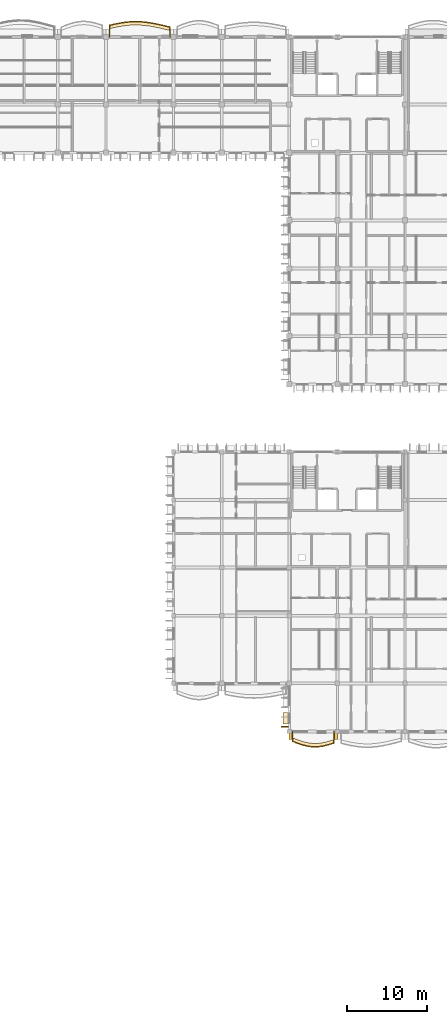
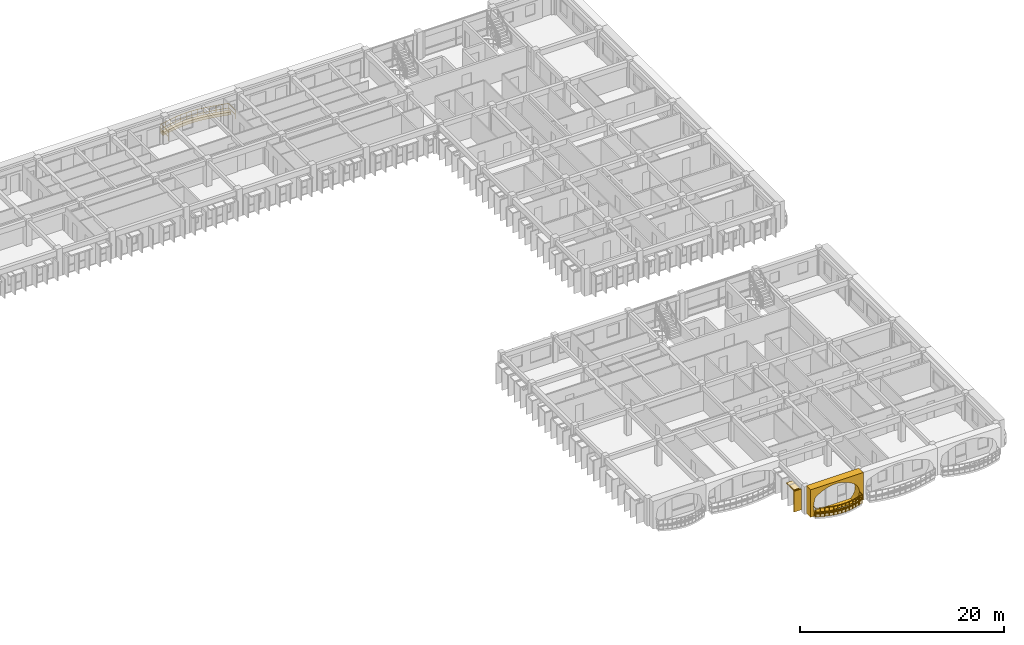
# One storey, part 59 of 70: 5 coverings, 2 railings.
"""IFC4 building model written with IfcOpenShell, lengths in metres."""

from ifc_helpers import new_model, si_unit, direction, frame, origin, origin_2d, place, context, subcontext, project, spatial, polyline, rectangle, outline, extrude, material, layer, layer_set, type_object, element, save


model = new_model("IFC4")

# Units and contexts
model_context = context("Model", 3, precision=1e-05, world=origin(), true_north=direction((0.0, 1.0)))
body_context = subcontext(model_context, "Body", "Model", "MODEL_VIEW")
ifc_project = project(units=[si_unit("LENGTHUNIT", "METRE"), si_unit("AREAUNIT", "SQUARE_METRE"), si_unit("VOLUMEUNIT", "CUBIC_METRE"), si_unit("PLANEANGLEUNIT", "RADIAN"), si_unit("MASSUNIT", "GRAM", prefix="KILO"), si_unit("THERMODYNAMICTEMPERATUREUNIT", "KELVIN")], contexts=[model_context])

# Site, building, storey
site_placement = place(None, origin())
site = spatial("IfcSite", under=ifc_project, at=site_placement, CompositionType="ELEMENT")
building_placement = place(site_placement, origin())
building = spatial("IfcBuilding", under=site, at=building_placement, Name="Thalorik Housing Commons", CompositionType="ELEMENT")
storey_placement = place(building_placement, frame((0.0, 0.0, 14.699951171875)))
storey = spatial("IfcBuildingStorey", under=building, at=storey_placement, Name="L04", CompositionType="ELEMENT", Elevation=14.699951171875)

# Coverings
ifc_material_1 = material(Name="Precast concrete C40/50", Category="concrete")
ifc_layer_1 = layer(ifc_material_1, 0.85009765625, Name="Precast concrete C40/50", Category="concrete")
ifc_layer_set_1 = layer_set([ifc_layer_1], Name="Precast concrete C40/50")
covering_type_1 = type_object("IfcCoveringType", Name="ARC-CLD-CUSH-850", PredefinedType="CLADDING", material=ifc_layer_set_1)
covering_1_placement = place(storey_placement, frame((155.39990234375, 36.637451171875, 0.0), z_axis=(0.0, 0.0, 1.0), x_axis=(1.0, 0.0, 0.0)))
element("IfcCovering", 1, at=covering_1_placement, inside=storey, type_object=covering_type_1, Name="L04 White Precast Curved Cushion Bay Frame 4819", PredefinedType="CLADDING", context=body_context, shape_type="SweptSolid", body=[
    extrude(outline(polyline([(-3.0, 0.0), (3.0, 0.0), (3.0, 3.300048828125), (-3.0, 3.300048828125), (-3.0, 0.0)]), holes=[polyline([(2.0400390625, 0.02490234375), (2.3232421875, 0.394287109375), (2.493408203125, 0.76318359375), (2.550048828125, 1.132568359375), (2.493408203125, 1.501708984375), (2.3232421875, 1.870849609375), (2.0400390625, 2.239990234375), (1.66748046875, 2.4833984375), (1.294921875, 2.6748046875), (0.922607421875, 2.82958984375), (0.550048828125, 2.94482421875), (0.177490234375, 3.01611328125), (-0.195068359375, 3.0400390625), (-0.5673828125, 3.01611328125), (-0.93994140625, 2.94482421875), (-1.3125, 2.82958984375), (-1.68505859375, 2.6748046875), (-2.0576171875, 2.4833984375), (-2.429931640625, 2.239990234375), (-2.55029296875, 1.870849609375), (-2.62255859375, 1.501708984375), (-2.646484375, 1.132568359375), (-2.62255859375, 0.76318359375), (-2.55029296875, 0.394287109375), (-2.429931640625, 0.02490234375), (2.0400390625, 0.02490234375)])]), frame((0.0, 0.425048828125, 0.0), z_axis=(0.0, -1.0, 0.0), x_axis=(1.0, 0.0, 0.0)), (0.0, 0.0, 1.0), 0.85009765625),
])
ifc_layer_2 = layer(ifc_material_1, 0.85009765625, Name="Precast concrete C40/50", Category="concrete")
ifc_layer_set_2 = layer_set([ifc_layer_2], Name="Precast concrete C40/50")
covering_type_2 = type_object("IfcCoveringType", Name="ARC-CLD-FIN-850", PredefinedType="CLADDING", material=ifc_layer_set_2)
covering_2_placement = place(storey_placement, frame((151.83740234375, 37.800048828125, 0.0400390625), z_axis=(0.0, 0.0, 1.0), x_axis=(0.0, -1.0, 0.0)))
element("IfcCovering", 2, at=covering_2_placement, inside=storey, type_object=covering_type_2, Name="L04 Courtyard Precast Vertical Brise-Soleil Fin 4816", PredefinedType="CLADDING", context=body_context, shape_type="SweptSolid", body=[
    extrude(rectangle(XDim=0.110107421875, YDim=0.85009765625, at=origin_2d()), origin(), (0.0, 0.0, 1.0), 2.4951171875),
])
ifc_layer_3 = layer(ifc_material_1, 0.64990234375, Name="Precast concrete C40/50", Category="concrete")
ifc_layer_set_3 = layer_set([ifc_layer_3], Name="Precast concrete C40/50")
covering_type_3 = type_object("IfcCoveringType", Name="ARC-CLD-HOOD-650", PredefinedType="CLADDING", material=ifc_layer_set_3)
covering_3_placement = place(storey_placement, frame((151.9375, 38.830078125, 2.2900390625), z_axis=(0.0, 0.0, 1.0), x_axis=(0.0, -1.0, 0.0)))
element("IfcCovering", 3, at=covering_3_placement, inside=storey, type_object=covering_type_3, Name="L04 Courtyard Precast Window Sun-Hood 4818", PredefinedType="CLADDING", context=body_context, shape_type="SweptSolid", body=[
    extrude(rectangle(XDim=1.43994140625, YDim=0.64990234375, at=origin_2d()), origin(), (0.0, 0.0, 1.0), 0.139892578125),
])
ifc_material_2 = material(Name="Planted vegetated substrate and terracotta trough", Category="masonry")
ifc_layer_4 = layer(ifc_material_2, 0.340087890625, Name="Planted vegetated substrate and terracotta trough", Category="masonry")
ifc_layer_set_4 = layer_set([ifc_layer_4], Name="Planted vegetated substrate and terracotta trough")
covering_type_4 = type_object("IfcCoveringType", Name="ARC-COV-PLANTER", PredefinedType="USERDEFINED", material=ifc_layer_set_4)
covering_4_placement = place(storey_placement, origin())
element("IfcCovering", 4, at=covering_4_placement, inside=storey, type_object=covering_type_4, Name="L04 Balcony Slab-Edge Planted Trough 5458", ObjectType="PLANTER", PredefinedType="USERDEFINED", context=body_context, shape_type="SweptSolid", body=[
    extrude(outline(polyline([(137.580078125, 124.79296875), (136.949951171875, 124.940673828125), (136.320068359375, 125.08642578125), (135.68994140625, 125.22021484375), (135.06005859375, 125.332763671875), (134.429931640625, 125.41650390625), (133.800048828125, 125.465576171875), (133.169921875, 125.476318359375), (132.5400390625, 125.447509765625), (131.909912109375, 125.381591796875), (131.280029296875, 125.2822265625), (130.64990234375, 125.15625), (130.02001953125, 125.01220703125), (130.02001953125, 124.632080078125), (130.64990234375, 124.7763671875), (131.280029296875, 124.90234375), (131.909912109375, 125.001708984375), (132.5400390625, 125.067626953125), (133.169921875, 125.09619140625), (133.800048828125, 125.08544921875), (134.429931640625, 125.03662109375), (135.06005859375, 124.95263671875), (135.68994140625, 124.840087890625), (136.320068359375, 124.706298828125), (136.949951171875, 124.560791015625), (137.580078125, 124.4130859375), (137.580078125, 124.79296875)])), origin(), (0.0, 0.0, 1.0), 0.340087890625),
])
covering_5_placement = place(storey_placement, origin())
element("IfcCovering", 5, at=covering_5_placement, inside=storey, type_object=covering_type_4, Name="L04 Balcony Slab-Edge Planted Trough 5670", ObjectType="PLANTER", PredefinedType="USERDEFINED", context=body_context, shape_type="SweptSolid", body=[
    extrude(outline(polyline([(152.820068359375, 36.019775390625), (153.25, 35.858154296875), (153.679931640625, 35.703369140625), (154.110107421875, 35.5654296875), (154.5400390625, 35.45361328125), (154.969970703125, 35.375), (155.39990234375, 35.33447265625), (155.830078125, 35.333984375), (156.260009765625, 35.373046875), (156.68994140625, 35.447998046875), (157.1201171875, 35.55322265625), (157.550048828125, 35.680908203125), (157.97998046875, 35.8212890625), (157.97998046875, 36.201416015625), (157.550048828125, 36.060791015625), (157.1201171875, 35.933349609375), (156.68994140625, 35.828125), (156.260009765625, 35.753173828125), (155.830078125, 35.714111328125), (155.39990234375, 35.714599609375), (154.969970703125, 35.755126953125), (154.5400390625, 35.833740234375), (154.110107421875, 35.9453125), (153.679931640625, 36.083251953125), (153.25, 36.23828125), (152.820068359375, 36.39990234375), (152.820068359375, 36.019775390625)])), origin(), (0.0, 0.0, 1.0), 0.340087890625),
])

# Railings
ifc_material_3 = material(Name="Steel S355", Category="steel")
railing_type = type_object("IfcRailingType", Name="ARC-RL-BAL-112", PredefinedType="BALUSTRADE", material=ifc_material_3)
railing_1_placement = place(storey_placement, frame((137.580078125, 123.60009765625, 0.0)))
element("IfcRailing", 6, at=railing_1_placement, inside=storey, type_object=railing_type, Name="L04 Cushion Balcony Guardrail 142", PredefinedType="BALUSTRADE", context=body_context, shape_type="SweptSolid", body=[
    extrude(rectangle(XDim=0.050048828125, YDim=0.050048828125, at=origin_2d()), frame((0.0, 0.0, 1.09521484375), z_axis=(0.0, 1.0, 0.0), x_axis=(-1.0, 0.0, 0.0)), (0.0, 0.0, 1.0), 1.262939453125),
    extrude(rectangle(XDim=0.050048828125, YDim=0.050048828125, at=origin_2d()), frame((0.0, 0.0, 0.53515625), z_axis=(0.0, 1.0, 0.0), x_axis=(-1.0, 0.0, 0.0)), (0.0, 0.0, 1.0), 1.262939453125),
    extrude(rectangle(XDim=0.050048828125, YDim=0.050048828125, at=origin_2d()), frame((0.0, 1.262939453125, 1.09521484375), z_axis=(-0.973609762691, 0.228219258593, 0.0), x_axis=(-0.228219258593, -0.973609762691, 0.0)), (0.0, 0.0, 1.0), 0.647216796875),
    extrude(rectangle(XDim=0.050048828125, YDim=0.050048828125, at=origin_2d()), frame((0.0, 1.262939453125, 0.53515625), z_axis=(-0.973609762691, 0.228219258593, 0.0), x_axis=(-0.228219258593, -0.973609762691, 0.0)), (0.0, 0.0, 1.0), 0.647216796875),
    extrude(rectangle(XDim=0.050048828125, YDim=0.050048828125, at=origin_2d()), frame((-0.630126953125, 1.41064453125, 1.09521484375), z_axis=(-0.974257371858, 0.225438624418, 0.0), x_axis=(-0.225438624418, -0.974257371858, 0.0)), (0.0, 0.0, 1.0), 0.646484375),
    extrude(rectangle(XDim=0.050048828125, YDim=0.050048828125, at=origin_2d()), frame((-0.630126953125, 1.41064453125, 0.53515625), z_axis=(-0.974257371858, 0.225438624418, 0.0), x_axis=(-0.225438624418, -0.974257371858, 0.0)), (0.0, 0.0, 1.0), 0.646484375),
    extrude(rectangle(XDim=0.050048828125, YDim=0.050048828125, at=origin_2d()), frame((-1.260009765625, 1.556396484375, 1.09521484375), z_axis=(-0.978271412584, 0.207328346642, 0.0), x_axis=(-0.207328346642, -0.978271412584, 0.0)), (0.0, 0.0, 1.0), 0.64404296875),
    extrude(rectangle(XDim=0.050048828125, YDim=0.050048828125, at=origin_2d()), frame((-1.260009765625, 1.556396484375, 0.53515625), z_axis=(-0.978271412584, 0.207328346642, 0.0), x_axis=(-0.207328346642, -0.978271412584, 0.0)), (0.0, 0.0, 1.0), 0.64404296875),
    extrude(rectangle(XDim=0.050048828125, YDim=0.050048828125, at=origin_2d()), frame((-1.89013671875, 1.68994140625, 1.09521484375), z_axis=(-0.984408704388, 0.175896284001, 0.0), x_axis=(-0.175896284001, -0.984408704388, 0.0)), (0.0, 0.0, 1.0), 0.639892578125),
    extrude(rectangle(XDim=0.050048828125, YDim=0.050048828125, at=origin_2d()), frame((-1.89013671875, 1.68994140625, 0.53515625), z_axis=(-0.984408704388, 0.175896284001, 0.0), x_axis=(-0.175896284001, -0.984408704388, 0.0)), (0.0, 0.0, 1.0), 0.639892578125),
    extrude(rectangle(XDim=0.050048828125, YDim=0.050048828125, at=origin_2d()), frame((-2.52001953125, 1.802490234375, 1.09521484375), z_axis=(-0.991234607713, 0.132113407615, 0.0), x_axis=(-0.132113407615, -0.991234607713, 0.0)), (0.0, 0.0, 1.0), 0.6357421875),
    extrude(rectangle(XDim=0.050048828125, YDim=0.050048828125, at=origin_2d()), frame((-2.52001953125, 1.802490234375, 0.53515625), z_axis=(-0.991234607713, 0.132113407615, 0.0), x_axis=(-0.132113407615, -0.991234607713, 0.0)), (0.0, 0.0, 1.0), 0.6357421875),
    extrude(rectangle(XDim=0.050048828125, YDim=0.050048828125, at=origin_2d()), frame((-3.150146484375, 1.886474609375, 1.09521484375), z_axis=(-0.997008847092, 0.077287507527, 0.0), x_axis=(-0.077287507527, -0.997008847092, 0.0)), (0.0, 0.0, 1.0), 0.6318359375),
    extrude(rectangle(XDim=0.050048828125, YDim=0.050048828125, at=origin_2d()), frame((-3.150146484375, 1.886474609375, 0.53515625), z_axis=(-0.997008847092, 0.077287507527, 0.0), x_axis=(-0.077287507527, -0.997008847092, 0.0)), (0.0, 0.0, 1.0), 0.6318359375),
    extrude(rectangle(XDim=0.050048828125, YDim=0.050048828125, at=origin_2d()), frame((-3.780029296875, 1.935302734375, 1.09521484375), z_axis=(-0.999854720379, 0.01704517927, 0.0), x_axis=(-0.01704517927, -0.999854720379, 0.0)), (0.0, 0.0, 1.0), 0.630126953125),
    extrude(rectangle(XDim=0.050048828125, YDim=0.050048828125, at=origin_2d()), frame((-3.780029296875, 1.935302734375, 0.53515625), z_axis=(-0.999854720379, 0.01704517927, 0.0), x_axis=(-0.01704517927, -0.999854720379, 0.0)), (0.0, 0.0, 1.0), 0.630126953125),
    extrude(rectangle(XDim=0.050048828125, YDim=0.050048828125, at=origin_2d()), frame((-4.41015625, 1.946044921875, 1.09521484375), z_axis=(-0.998973324742, -0.04530227868, 0.0), x_axis=(0.04530227868, -0.998973324742, 0.0)), (0.0, 0.0, 1.0), 0.630615234375),
    extrude(rectangle(XDim=0.050048828125, YDim=0.050048828125, at=origin_2d()), frame((-4.41015625, 1.946044921875, 0.53515625), z_axis=(-0.998973324742, -0.04530227868, 0.0), x_axis=(0.04530227868, -0.998973324742, 0.0)), (0.0, 0.0, 1.0), 0.630615234375),
    extrude(rectangle(XDim=0.050048828125, YDim=0.050048828125, at=origin_2d()), frame((-5.0400390625, 1.91748046875, 1.09521484375), z_axis=(-0.994572812937, -0.104042874658, 0.0), x_axis=(0.104042874658, -0.994572812937, 0.0)), (0.0, 0.0, 1.0), 0.633544921875),
    extrude(rectangle(XDim=0.050048828125, YDim=0.050048828125, at=origin_2d()), frame((-5.0400390625, 1.91748046875, 0.53515625), z_axis=(-0.994572812937, -0.104042874658, 0.0), x_axis=(0.104042874658, -0.994572812937, 0.0)), (0.0, 0.0, 1.0), 0.633544921875),
    extrude(rectangle(XDim=0.050048828125, YDim=0.050048828125, at=origin_2d()), frame((-5.670166015625, 1.8515625, 1.09521484375), z_axis=(-0.987784685763, -0.155824948491, 0.0), x_axis=(0.155824948491, -0.987784685763, 0.0)), (0.0, 0.0, 1.0), 0.6376953125),
    extrude(rectangle(XDim=0.050048828125, YDim=0.050048828125, at=origin_2d()), frame((-5.670166015625, 1.8515625, 0.53515625), z_axis=(-0.987784685763, -0.155824948491, 0.0), x_axis=(0.155824948491, -0.987784685763, 0.0)), (0.0, 0.0, 1.0), 0.6376953125),
    extrude(rectangle(XDim=0.050048828125, YDim=0.050048828125, at=origin_2d()), frame((-6.300048828125, 1.752197265625, 1.09521484375), z_axis=(-0.980595285601, -0.196043071434, 0.0), x_axis=(0.196043071434, -0.980595285601, 0.0)), (0.0, 0.0, 1.0), 0.642578125),
    extrude(rectangle(XDim=0.050048828125, YDim=0.050048828125, at=origin_2d()), frame((-6.300048828125, 1.752197265625, 0.53515625), z_axis=(-0.980595285601, -0.196043071434, 0.0), x_axis=(0.196043071434, -0.980595285601, 0.0)), (0.0, 0.0, 1.0), 0.642578125),
    extrude(rectangle(XDim=0.050048828125, YDim=0.050048828125, at=origin_2d()), frame((-6.93017578125, 1.626220703125, 1.09521484375), z_axis=(-0.974835050868, -0.222927395354, 0.0), x_axis=(0.222927395354, -0.974835050868, 0.0)), (0.0, 0.0, 1.0), 0.646240234375),
    extrude(rectangle(XDim=0.050048828125, YDim=0.050048828125, at=origin_2d()), frame((-6.93017578125, 1.626220703125, 0.53515625), z_axis=(-0.974835050868, -0.222927395354, 0.0), x_axis=(0.222927395354, -0.974835050868, 0.0)), (0.0, 0.0, 1.0), 0.646240234375),
    extrude(rectangle(XDim=0.050048828125, YDim=0.050048828125, at=origin_2d()), frame((-7.56005859375, 1.482177734375, 1.09521484375), z_axis=(0.0, -1.0, 0.0), x_axis=(1.0, 0.0, 0.0)), (0.0, 0.0, 1.0), 1.482177734375),
    extrude(rectangle(XDim=0.050048828125, YDim=0.050048828125, at=origin_2d()), frame((-7.56005859375, 1.482177734375, 0.53515625), z_axis=(0.0, -1.0, 0.0), x_axis=(1.0, 0.0, 0.0)), (0.0, 0.0, 1.0), 1.482177734375),
    extrude(rectangle(XDim=0.0419921875, YDim=0.0419921875, at=origin_2d()), origin(), (0.0, 0.0, 1.0), 1.070068359375),
    extrude(rectangle(XDim=0.0419921875, YDim=0.0419921875, at=origin_2d()), frame((0.0, 1.262939453125, 0.0)), (0.0, 0.0, 1.0), 1.070068359375),
    extrude(rectangle(XDim=0.0419921875, YDim=0.0419921875, at=origin_2d()), frame((-0.630126953125, 1.41064453125, 0.0)), (0.0, 0.0, 1.0), 1.070068359375),
    extrude(rectangle(XDim=0.0419921875, YDim=0.0419921875, at=origin_2d()), frame((-1.260009765625, 1.556396484375, 0.0)), (0.0, 0.0, 1.0), 1.070068359375),
    extrude(rectangle(XDim=0.0419921875, YDim=0.0419921875, at=origin_2d()), frame((-1.89013671875, 1.68994140625, 0.0)), (0.0, 0.0, 1.0), 1.070068359375),
    extrude(rectangle(XDim=0.0419921875, YDim=0.0419921875, at=origin_2d()), frame((-2.52001953125, 1.802490234375, 0.0)), (0.0, 0.0, 1.0), 1.070068359375),
    extrude(rectangle(XDim=0.0419921875, YDim=0.0419921875, at=origin_2d()), frame((-3.150146484375, 1.886474609375, 0.0)), (0.0, 0.0, 1.0), 1.070068359375),
    extrude(rectangle(XDim=0.0419921875, YDim=0.0419921875, at=origin_2d()), frame((-3.780029296875, 1.935302734375, 0.0)), (0.0, 0.0, 1.0), 1.070068359375),
    extrude(rectangle(XDim=0.0419921875, YDim=0.0419921875, at=origin_2d()), frame((-4.41015625, 1.946044921875, 0.0)), (0.0, 0.0, 1.0), 1.070068359375),
    extrude(rectangle(XDim=0.0419921875, YDim=0.0419921875, at=origin_2d()), frame((-5.0400390625, 1.91748046875, 0.0)), (0.0, 0.0, 1.0), 1.070068359375),
    extrude(rectangle(XDim=0.0419921875, YDim=0.0419921875, at=origin_2d()), frame((-5.670166015625, 1.8515625, 0.0)), (0.0, 0.0, 1.0), 1.070068359375),
    extrude(rectangle(XDim=0.0419921875, YDim=0.0419921875, at=origin_2d()), frame((-6.300048828125, 1.752197265625, 0.0)), (0.0, 0.0, 1.0), 1.070068359375),
    extrude(rectangle(XDim=0.0419921875, YDim=0.0419921875, at=origin_2d()), frame((-6.93017578125, 1.626220703125, 0.0)), (0.0, 0.0, 1.0), 1.070068359375),
    extrude(rectangle(XDim=0.0419921875, YDim=0.0419921875, at=origin_2d()), frame((-7.56005859375, 1.482177734375, 0.0)), (0.0, 0.0, 1.0), 1.070068359375),
    extrude(rectangle(XDim=0.0419921875, YDim=0.0419921875, at=origin_2d()), frame((-7.56005859375, 0.0, 0.0)), (0.0, 0.0, 1.0), 1.070068359375),
])
railing_2_placement = place(storey_placement, frame((152.820068359375, 37.199951171875, 0.0)))
element("IfcRailing", 7, at=railing_2_placement, inside=storey, type_object=railing_type, Name="L04 Cushion Balcony Guardrail 354", PredefinedType="BALUSTRADE", context=body_context, shape_type="SweptSolid", body=[
    extrude(rectangle(XDim=0.050048828125, YDim=0.050048828125, at=origin_2d()), frame((0.0, 0.0, 1.09521484375), z_axis=(0.0, -1.0, 0.0), x_axis=(1.0, 0.0, 0.0)), (0.0, 0.0, 1.0), 1.250244140625),
    extrude(rectangle(XDim=0.050048828125, YDim=0.050048828125, at=origin_2d()), frame((0.0, 0.0, 0.53515625), z_axis=(0.0, -1.0, 0.0), x_axis=(1.0, 0.0, 0.0)), (0.0, 0.0, 1.0), 1.250244140625),
    extrude(rectangle(XDim=0.050048828125, YDim=0.050048828125, at=origin_2d()), frame((0.0, -1.250244140625, 1.09521484375), z_axis=(0.936044897025, -0.351880591613, 0.0), x_axis=(0.351880591613, 0.936044897025, 0.0)), (0.0, 0.0, 1.0), 0.459228515625),
    extrude(rectangle(XDim=0.050048828125, YDim=0.050048828125, at=origin_2d()), frame((0.0, -1.250244140625, 0.53515625), z_axis=(0.936044897025, -0.351880591613, 0.0), x_axis=(0.351880591613, 0.936044897025, 0.0)), (0.0, 0.0, 1.0), 0.459228515625),
    extrude(rectangle(XDim=0.050048828125, YDim=0.050048828125, at=origin_2d()), frame((0.429931640625, -1.411865234375, 1.09521484375), z_axis=(0.940880600646, -0.33873838774, 0.0), x_axis=(0.33873838774, 0.940880600646, 0.0)), (0.0, 0.0, 1.0), 0.45703125),
    extrude(rectangle(XDim=0.050048828125, YDim=0.050048828125, at=origin_2d()), frame((0.429931640625, -1.411865234375, 0.53515625), z_axis=(0.940880600646, -0.33873838774, 0.0), x_axis=(0.33873838774, 0.940880600646, 0.0)), (0.0, 0.0, 1.0), 0.45703125),
    extrude(rectangle(XDim=0.050048828125, YDim=0.050048828125, at=origin_2d()), frame((0.85986328125, -1.566650390625, 1.09521484375), z_axis=(0.952242003073, -0.305344342643, 0.0), x_axis=(0.305344342643, 0.952242003073, 0.0)), (0.0, 0.0, 1.0), 0.45166015625),
    extrude(rectangle(XDim=0.050048828125, YDim=0.050048828125, at=origin_2d()), frame((0.85986328125, -1.566650390625, 0.53515625), z_axis=(0.952242003073, -0.305344342643, 0.0), x_axis=(0.305344342643, 0.952242003073, 0.0)), (0.0, 0.0, 1.0), 0.45166015625),
    extrude(rectangle(XDim=0.050048828125, YDim=0.050048828125, at=origin_2d()), frame((1.2900390625, -1.70458984375, 1.09521484375), z_axis=(0.967937525619, -0.251191055768, 0.0), x_axis=(0.251191055768, 0.967937525619, 0.0)), (0.0, 0.0, 1.0), 0.444091796875),
    extrude(rectangle(XDim=0.050048828125, YDim=0.050048828125, at=origin_2d()), frame((1.2900390625, -1.70458984375, 0.53515625), z_axis=(0.967937525619, -0.251191055768, 0.0), x_axis=(0.251191055768, 0.967937525619, 0.0)), (0.0, 0.0, 1.0), 0.444091796875),
    extrude(rectangle(XDim=0.050048828125, YDim=0.050048828125, at=origin_2d()), frame((1.719970703125, -1.816162109375, 1.09521484375), z_axis=(0.983690667617, -0.179868480961, 0.0), x_axis=(0.179868480961, 0.983690667617, 0.0)), (0.0, 0.0, 1.0), 0.43701171875),
    extrude(rectangle(XDim=0.050048828125, YDim=0.050048828125, at=origin_2d()), frame((1.719970703125, -1.816162109375, 0.53515625), z_axis=(0.983690667617, -0.179868480961, 0.0), x_axis=(0.179868480961, 0.983690667617, 0.0)), (0.0, 0.0, 1.0), 0.43701171875),
    extrude(rectangle(XDim=0.050048828125, YDim=0.050048828125, at=origin_2d()), frame((2.14990234375, -1.894775390625, 1.09521484375), z_axis=(0.995533503814, -0.094408912627, 0.0), x_axis=(0.094408912627, 0.995533503814, 0.0)), (0.0, 0.0, 1.0), 0.431884765625),
    extrude(rectangle(XDim=0.050048828125, YDim=0.050048828125, at=origin_2d()), frame((2.14990234375, -1.894775390625, 0.53515625), z_axis=(0.995533503814, -0.094408912627, 0.0), x_axis=(0.094408912627, 0.995533503814, 0.0)), (0.0, 0.0, 1.0), 0.431884765625),
    extrude(rectangle(XDim=0.050048828125, YDim=0.050048828125, at=origin_2d()), frame((2.579833984375, -1.935546875, 1.09521484375), z_axis=(0.999999838951, -0.000567536798, 0.0), x_axis=(0.000567536798, 0.999999838951, 0.0)), (0.0, 0.0, 1.0), 0.43017578125),
    extrude(rectangle(XDim=0.050048828125, YDim=0.050048828125, at=origin_2d()), frame((2.579833984375, -1.935546875, 0.53515625), z_axis=(0.999999838951, -0.000567536798, 0.0), x_axis=(0.000567536798, 0.999999838951, 0.0)), (0.0, 0.0, 1.0), 0.43017578125),
    extrude(rectangle(XDim=0.050048828125, YDim=0.050048828125, at=origin_2d()), frame((3.010009765625, -1.935791015625, 1.09521484375), z_axis=(0.995948647187, 0.089923813119, 0.0), x_axis=(-0.089923813119, 0.995948647187, 0.0)), (0.0, 0.0, 1.0), 0.431640625),
    extrude(rectangle(XDim=0.050048828125, YDim=0.050048828125, at=origin_2d()), frame((3.010009765625, -1.935791015625, 0.53515625), z_axis=(0.995948647187, 0.089923813119, 0.0), x_axis=(-0.089923813119, 0.995948647187, 0.0)), (0.0, 0.0, 1.0), 0.431640625),
    extrude(rectangle(XDim=0.050048828125, YDim=0.050048828125, at=origin_2d()), frame((3.43994140625, -1.89697265625, 1.09521484375), z_axis=(0.985047084185, 0.172285350329, 0.0), x_axis=(-0.172285350329, 0.985047084185, 0.0)), (0.0, 0.0, 1.0), 0.4365234375),
    extrude(rectangle(XDim=0.050048828125, YDim=0.050048828125, at=origin_2d()), frame((3.43994140625, -1.89697265625, 0.53515625), z_axis=(0.985047084185, 0.172285350329, 0.0), x_axis=(-0.172285350329, 0.985047084185, 0.0)), (0.0, 0.0, 1.0), 0.4365234375),
    extrude(rectangle(XDim=0.050048828125, YDim=0.050048828125, at=origin_2d()), frame((3.869873046875, -1.82177734375, 1.09521484375), z_axis=(0.971362259737, 0.237603367734, 0.0), x_axis=(-0.237603367734, 0.971362259737, 0.0)), (0.0, 0.0, 1.0), 0.44287109375),
    extrude(rectangle(XDim=0.050048828125, YDim=0.050048828125, at=origin_2d()), frame((3.869873046875, -1.82177734375, 0.53515625), z_axis=(0.971362259737, 0.237603367734, 0.0), x_axis=(-0.237603367734, 0.971362259737, 0.0)), (0.0, 0.0, 1.0), 0.44287109375),
    extrude(rectangle(XDim=0.050048828125, YDim=0.050048828125, at=origin_2d()), frame((4.300048828125, -1.716552734375, 1.09521484375), z_axis=(0.958765151286, 0.284199550807, 0.0), x_axis=(-0.284199550807, 0.958765151286, 0.0)), (0.0, 0.0, 1.0), 0.448486328125),
    extrude(rectangle(XDim=0.050048828125, YDim=0.050048828125, at=origin_2d()), frame((4.300048828125, -1.716552734375, 0.53515625), z_axis=(0.958765151286, 0.284199550807, 0.0), x_axis=(-0.284199550807, 0.958765151286, 0.0)), (0.0, 0.0, 1.0), 0.448486328125),
    extrude(rectangle(XDim=0.050048828125, YDim=0.050048828125, at=origin_2d()), frame((4.72998046875, -1.589111328125, 1.09521484375), z_axis=(0.950449331157, 0.310879508658, 0.0), x_axis=(-0.310879508658, 0.950449331157, 0.0)), (0.0, 0.0, 1.0), 0.452392578125),
    extrude(rectangle(XDim=0.050048828125, YDim=0.050048828125, at=origin_2d()), frame((4.72998046875, -1.589111328125, 0.53515625), z_axis=(0.950449331157, 0.310879508658, 0.0), x_axis=(-0.310879508658, 0.950449331157, 0.0)), (0.0, 0.0, 1.0), 0.452392578125),
    extrude(rectangle(XDim=0.050048828125, YDim=0.050048828125, at=origin_2d()), frame((5.159912109375, -1.448486328125, 1.09521484375), z_axis=(0.0, 1.0, 0.0), x_axis=(-1.0, 0.0, 0.0)), (0.0, 0.0, 1.0), 1.448486328125),
    extrude(rectangle(XDim=0.050048828125, YDim=0.050048828125, at=origin_2d()), frame((5.159912109375, -1.448486328125, 0.53515625), z_axis=(0.0, 1.0, 0.0), x_axis=(-1.0, 0.0, 0.0)), (0.0, 0.0, 1.0), 1.448486328125),
    extrude(rectangle(XDim=0.0419921875, YDim=0.0419921875, at=origin_2d()), origin(), (0.0, 0.0, 1.0), 1.070068359375),
    extrude(rectangle(XDim=0.0419921875, YDim=0.0419921875, at=origin_2d()), frame((0.0, -1.250244140625, 0.0)), (0.0, 0.0, 1.0), 1.070068359375),
    extrude(rectangle(XDim=0.0419921875, YDim=0.0419921875, at=origin_2d()), frame((0.429931640625, -1.411865234375, 0.0)), (0.0, 0.0, 1.0), 1.070068359375),
    extrude(rectangle(XDim=0.0419921875, YDim=0.0419921875, at=origin_2d()), frame((0.85986328125, -1.566650390625, 0.0)), (0.0, 0.0, 1.0), 1.070068359375),
    extrude(rectangle(XDim=0.0419921875, YDim=0.0419921875, at=origin_2d()), frame((1.2900390625, -1.70458984375, 0.0)), (0.0, 0.0, 1.0), 1.070068359375),
    extrude(rectangle(XDim=0.0419921875, YDim=0.0419921875, at=origin_2d()), frame((1.719970703125, -1.816162109375, 0.0)), (0.0, 0.0, 1.0), 1.070068359375),
    extrude(rectangle(XDim=0.0419921875, YDim=0.0419921875, at=origin_2d()), frame((2.14990234375, -1.894775390625, 0.0)), (0.0, 0.0, 1.0), 1.070068359375),
    extrude(rectangle(XDim=0.0419921875, YDim=0.0419921875, at=origin_2d()), frame((2.579833984375, -1.935546875, 0.0)), (0.0, 0.0, 1.0), 1.070068359375),
    extrude(rectangle(XDim=0.0419921875, YDim=0.0419921875, at=origin_2d()), frame((3.010009765625, -1.935791015625, 0.0)), (0.0, 0.0, 1.0), 1.070068359375),
    extrude(rectangle(XDim=0.0419921875, YDim=0.0419921875, at=origin_2d()), frame((3.43994140625, -1.89697265625, 0.0)), (0.0, 0.0, 1.0), 1.070068359375),
    extrude(rectangle(XDim=0.0419921875, YDim=0.0419921875, at=origin_2d()), frame((3.869873046875, -1.82177734375, 0.0)), (0.0, 0.0, 1.0), 1.070068359375),
    extrude(rectangle(XDim=0.0419921875, YDim=0.0419921875, at=origin_2d()), frame((4.300048828125, -1.716552734375, 0.0)), (0.0, 0.0, 1.0), 1.070068359375),
    extrude(rectangle(XDim=0.0419921875, YDim=0.0419921875, at=origin_2d()), frame((4.72998046875, -1.589111328125, 0.0)), (0.0, 0.0, 1.0), 1.070068359375),
    extrude(rectangle(XDim=0.0419921875, YDim=0.0419921875, at=origin_2d()), frame((5.159912109375, -1.448486328125, 0.0)), (0.0, 0.0, 1.0), 1.070068359375),
    extrude(rectangle(XDim=0.0419921875, YDim=0.0419921875, at=origin_2d()), frame((5.159912109375, 0.0, 0.0)), (0.0, 0.0, 1.0), 1.070068359375),
])

save(model, "model.ifc")
